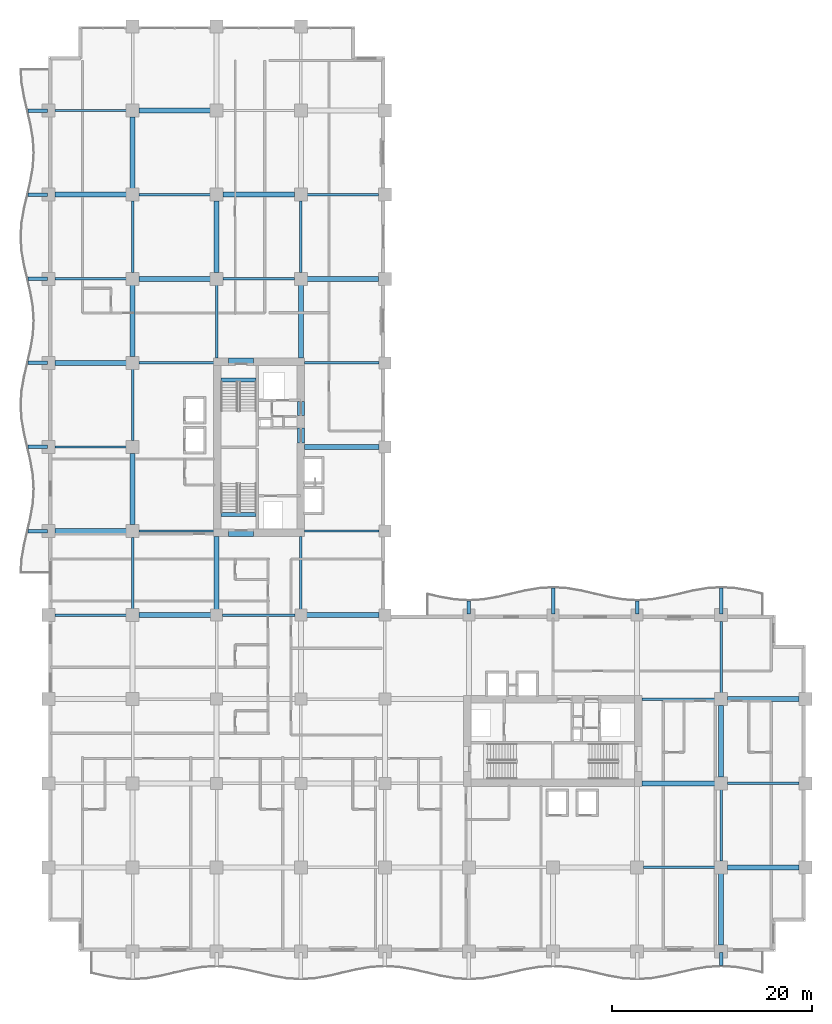
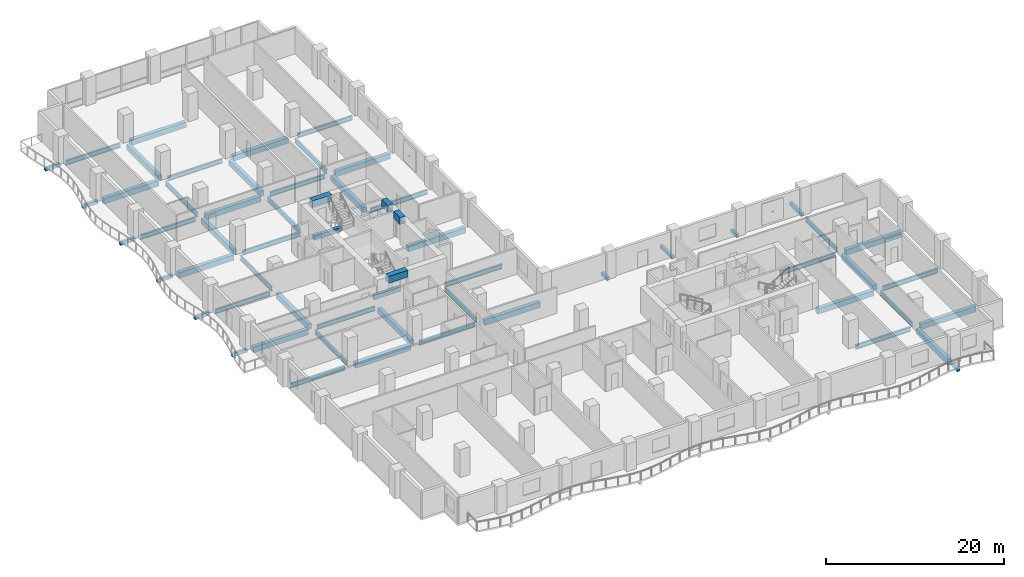
# One storey, part 2 of 21: 61 beams.
"""IFC4 building model written with IfcOpenShell, lengths in metres."""

import ifcopenshell
import ifcopenshell.guid

model = None  # the IFC model being written
_history = None  # IfcOwnerHistory: only IFC2X3 demands one
_inside = {}  # id of a spatial element -> (the spatial element, [elements in it])
_under = {}  # id of a project, library or spatial element -> (it, [spatial elements below it])
_declared = {}  # id of a project -> (the project, [libraries it declares])
_typed = {}  # id of a type object -> (the type object, [elements of that type])
_made_of = {}  # id of a material, layer set ... -> (it, [elements and type objects made of it])


def new_model(schema):
    """Start an empty IFC model of exactly this schema.

    Asked for "IFC4X3", IfcOpenShell would pick the latest addendum, in which some entities
    have other attributes; the version numbers below select the first issue.
    IFC2X3 requires an IfcOwnerHistory on every rooted entity: one is made here for all.
    """
    global model, _history
    if schema == "IFC4X3":
        model = ifcopenshell.file(schema_version=(4, 3, 0, 0))
    else:
        model = ifcopenshell.file(schema=schema)
    _inside.clear()
    _under.clear()
    _declared.clear()
    _typed.clear()
    _made_of.clear()
    _history = None
    if model.schema == "IFC2X3":
        org = make("IfcOrganization", Name="unknown")
        user = make(
            "IfcPersonAndOrganization",
            ThePerson=make("IfcPerson", FamilyName="unknown"),
            TheOrganization=org,
        )
        app = make(
            "IfcApplication",
            ApplicationDeveloper=org,
            Version="unknown",
            ApplicationFullName="unknown",
            ApplicationIdentifier="unknown",
        )
        _history = make(
            "IfcOwnerHistory",
            OwningUser=user,
            OwningApplication=app,
            ChangeAction="ADDED",
            CreationDate=0,
        )
    return model


def make(cls, **values):
    """One entity of the class cls with the attributes given. An attribute that is None is left unset."""
    return model.create_entity(
        cls, **{name: value for name, value in values.items() if value is not None}
    )


def rooted(cls, **values):
    """An entity with a GlobalId (a new one), such as an element, a storey or a relation."""
    return make(cls, GlobalId=ifcopenshell.guid.new(), OwnerHistory=_history, **values)


def si_unit(unit_type, name, prefix=None):
    """IfcSIUnit, for example si_unit("LENGTHUNIT", "METRE", prefix="MILLI")."""
    return make("IfcSIUnit", UnitType=unit_type, Prefix=prefix, Name=name)


def assignment(units):
    """IfcUnitAssignment: the units of a project."""
    return None if units is None else make("IfcUnitAssignment", Units=units)


def point(xyz):
    """IfcCartesianPoint."""
    return None if xyz is None else make("IfcCartesianPoint", Coordinates=xyz)


def direction(xyz):
    """IfcDirection."""
    return None if xyz is None else make("IfcDirection", DirectionRatios=xyz)


def frame(location, z_axis=None, x_axis=None):
    """IfcAxis2Placement3D, a coordinate frame: its origin and axes. An axis left out is left unset."""
    return make(
        "IfcAxis2Placement3D",
        Location=point(location),
        Axis=direction(z_axis),
        RefDirection=direction(x_axis),
    )


def frame_2d(location, x_axis=None):
    """IfcAxis2Placement2D, a coordinate frame in the plane: its origin and x axis."""
    return make(
        "IfcAxis2Placement2D", Location=point(location), RefDirection=direction(x_axis)
    )


def origin():
    """The frame at (0, 0, 0) with its axes left unset."""
    return frame((0.0, 0.0, 0.0))


def origin_2d():
    """The frame at (0, 0) in the plane with its x axis left unset."""
    return frame_2d((0.0, 0.0))


def place(relative_to, where):
    """IfcLocalPlacement: puts the frame where relative to a parent placement (None: the world)."""
    return make(
        "IfcLocalPlacement", PlacementRelTo=relative_to, RelativePlacement=where
    )


def context(
    kind, dimensions, precision=None, world=None, true_north=None, identifier=None
):
    """IfcGeometricRepresentationContext, for example the 3D "Model" context."""
    return make(
        "IfcGeometricRepresentationContext",
        ContextIdentifier=identifier,
        ContextType=kind,
        CoordinateSpaceDimension=dimensions,
        Precision=precision,
        WorldCoordinateSystem=world,
        TrueNorth=true_north,
    )


def subcontext(parent, identifier, kind, view, scale=None):
    """IfcGeometricRepresentationSubContext, for example "Body" below "Model"."""
    return make(
        "IfcGeometricRepresentationSubContext",
        ContextIdentifier=identifier,
        ContextType=kind,
        ParentContext=parent,
        TargetScale=scale,
        TargetView=view,
    )


def project(units=None, contexts=None):
    """IfcProject with its units and contexts."""
    return rooted(
        "IfcProject",
        Name="project",
        RepresentationContexts=contexts,
        UnitsInContext=assignment(units),
    )


def spatial(cls, under=None, at=None, **own):
    """A site, building, storey or space (cls), placed at a placement, below another one or the project."""
    s = rooted(cls, ObjectPlacement=at, **own)
    if under is not None:
        _under.setdefault(under.id(), (under, []))[1].append(s)
    return s


def profile(cls, at=None, kind="AREA", **sizes):
    """A parametric profile (cls). Its sizes go by their IFC names, for example OverallWidth=200.0."""
    return make(cls, ProfileType=kind, Position=at, **sizes)


def rectangle(**sizes):
    """IfcRectangleProfileDef."""
    return profile("IfcRectangleProfileDef", **sizes)


def i_section(**sizes):
    """IfcIShapeProfileDef."""
    return profile("IfcIShapeProfileDef", **sizes)


def extrude(swept, where, along, depth):
    """IfcExtrudedAreaSolid: the profile swept, set in the frame where, extruded along a direction by depth."""
    return make(
        "IfcExtrudedAreaSolid",
        SweptArea=swept,
        Position=where,
        ExtrudedDirection=direction(along),
        Depth=depth,
    )


def shape(context_of_items, identifier, shape_type, items):
    """IfcShapeRepresentation: the items that make up one representation, for example the "Body"."""
    return make(
        "IfcShapeRepresentation",
        ContextOfItems=context_of_items,
        RepresentationIdentifier=identifier,
        RepresentationType=shape_type,
        Items=items,
    )


def material(Name=None, Category=None):
    """IfcMaterial."""
    return make("IfcMaterial", Name=Name, Category=Category)


def material_profile(
    of_material, cross_section, Name=None, Category=None, Priority=None
):
    """IfcMaterialProfile: a cross section and its material."""
    return make(
        "IfcMaterialProfile",
        Name=Name,
        Material=of_material,
        Profile=cross_section,
        Priority=Priority,
        Category=Category,
    )


def profile_set(profiles, Name=None, composite=None):
    """IfcMaterialProfileSet."""
    return make(
        "IfcMaterialProfileSet",
        Name=Name,
        MaterialProfiles=profiles,
        CompositeProfile=composite,
    )


def made_of(thing, what):
    """Note that an element or type object is made of a material, layer set ...; save() writes the relation."""
    if what is not None:
        _made_of.setdefault(what.id(), (what, []))[1].append(thing)
    return thing


def type_object(cls, material=None, **own):
    """A type object (cls), such as IfcWallType, which elements share."""
    return made_of(rooted(cls, **own), material)


def element(
    cls,
    number,
    at=None,
    inside=None,
    cuts=None,
    type_object=None,
    material=None,
    context=None,
    identifier="Body",
    shape_type=None,
    held_by="IfcProductDefinitionShape",
    body=None,
    shapes=None,
    **own,
):
    """One element of the class cls, such as IfcWall. Its Tag is "e" and its number.

    at: its placement. inside: the storey or other place that contains it. cuts: it is an
    opening in that element (IfcRelVoidsElement). A single representation is given by context,
    identifier, shape_type and body (its items); several are given by shapes. held_by: the class
    of the entity that holds the representations. save() writes the other relations.
    """
    e = rooted(cls, Tag="e%d" % number, ObjectPlacement=at, **own)
    if body is not None:
        shapes = [shape(context, identifier, shape_type, body)]
    if shapes is not None:
        e.Representation = make(held_by, Representations=shapes)
    if inside is not None:
        _inside.setdefault(inside.id(), (inside, []))[1].append(e)
    if cuts is not None:
        rooted(
            "IfcRelVoidsElement", RelatingBuildingElement=cuts, RelatedOpeningElement=e
        )
    if type_object is not None:
        _typed.setdefault(type_object.id(), (type_object, []))[1].append(e)
    return made_of(e, material)


def aggregate(whole, parts):
    """IfcRelAggregates: a whole, such as a stair, and the parts it consists of."""
    return rooted("IfcRelAggregates", RelatingObject=whole, RelatedObjects=parts)


def save(model, path):
    """Write the relations noted so far, then the file.

    IfcRelAggregates (storeys below a building ...), IfcRelContainedInSpatialStructure (elements
    in a storey), IfcRelDefinesByType, IfcRelAssociatesMaterial and IfcRelDeclares: one each for
    every whole, place, type object, material and project.
    """
    for whole, parts in _under.values():
        aggregate(whole, parts)
    for where, things in _inside.values():
        rooted(
            "IfcRelContainedInSpatialStructure",
            RelatedElements=things,
            RelatingStructure=where,
        )
    for kind, things in _typed.values():
        rooted("IfcRelDefinesByType", RelatedObjects=things, RelatingType=kind)
    for what, things in _made_of.values():
        rooted("IfcRelAssociatesMaterial", RelatedObjects=things, RelatingMaterial=what)
    for by, libraries in _declared.values():
        rooted("IfcRelDeclares", RelatingContext=by, RelatedDefinitions=libraries)
    model.write(path)


model = new_model("IFC4")

# Units and contexts
model_context = context("Model", 3, precision=1e-05, world=origin(), true_north=direction((0.0, 1.0)))
body_context = subcontext(model_context, "Body", "Model", "MODEL_VIEW")
ifc_project = project(units=[si_unit("LENGTHUNIT", "METRE"), si_unit("AREAUNIT", "SQUARE_METRE"), si_unit("VOLUMEUNIT", "CUBIC_METRE"), si_unit("PLANEANGLEUNIT", "RADIAN"), si_unit("MASSUNIT", "GRAM", prefix="KILO")], contexts=[model_context])

# Site, building, storey
site_placement = place(None, origin())
site = spatial("IfcSite", under=ifc_project, at=site_placement, CompositionType="ELEMENT")
building_placement = place(site_placement, origin())
building = spatial("IfcBuilding", under=site, at=building_placement, Name="Koriwani Terraces Tower", CompositionType="ELEMENT")
storey_placement = place(building_placement, frame((0.0, 0.0, 111.39990234375)))
storey = spatial("IfcBuildingStorey", under=building, at=storey_placement, Name="L26", CompositionType="ELEMENT", Elevation=111.39990234375)

# Beams
ifc_material_1 = material(Name="Concrete C40/50", Category="concrete")
ifc_material_profile_1 = material_profile(ifc_material_1, rectangle(XDim=0.35009765625, YDim=0.449951171875, at=origin_2d()), Name="Concrete C40/50", Category="LoadBearing")
ifc_profile_set_1 = profile_set([ifc_material_profile_1], Name="Concrete C40/50")
beam_type_1 = type_object("IfcBeamType", Name="BEAM_RC_BALCONY_RIB_350X450", PredefinedType="JOIST", material=ifc_profile_set_1)
beam_1_placement = place(storey_placement, frame((67.199951171875, -1.39990234375, -0.474853515625), z_axis=(0.0, 1.0, 0.0), x_axis=(-1.0, 0.0, 0.0)))
element("IfcBeam", 1, at=beam_1_placement, inside=storey, type_object=beam_type_1, Name="L26 Balcony Bracket Rib S-8", PredefinedType="JOIST", context=body_context, shape_type="SweptSolid", body=[
    extrude(rectangle(XDim=0.35009765625, YDim=0.449951171875, at=origin_2d()), origin(), (0.0, 0.0, 1.0), 1.2998046875),
])
for number, where, z_axis, x_axis, name in (
    (2, (-2.050048828125, 42.0, -0.474853515625), (1.0, 0.0, 0.0), (0.0, 1.0, 0.0), "L26 Balcony Bracket Rib W-1"),
    (3, (-2.050048828125, 50.39990234375, -0.474853515625), (1.0, 0.0, 0.0), (0.0, 1.0, 0.0), "L26 Balcony Bracket Rib W-2"),
    (4, (-2.050048828125, 58.800048828125, -0.474853515625), (1.0, 0.0, 0.0), (0.0, 1.0, 0.0), "L26 Balcony Bracket Rib W-3"),
    (5, (-2.050048828125, 67.199951171875, -0.474853515625), (1.0, 0.0, 0.0), (0.0, 1.0, 0.0), "L26 Balcony Bracket Rib W-4"),
    (6, (-2.050048828125, 75.60009765625, -0.474853515625), (1.0, 0.0, 0.0), (0.0, 1.0, 0.0), "L26 Balcony Bracket Rib W-5"),
    (7, (-2.050048828125, 84.0, -0.474853515625), (1.0, 0.0, 0.0), (0.0, 1.0, 0.0), "L26 Balcony Bracket Rib W-6"),
):
    element("IfcBeam", number, at=place(storey_placement, frame(where, z_axis=z_axis, x_axis=x_axis)), inside=storey, type_object=beam_type_1, Name=name, PredefinedType="JOIST", context=body_context, shape_type="SweptSolid", body=[
        extrude(rectangle(XDim=0.35009765625, YDim=0.449951171875, at=origin_2d()), origin(), (0.0, 0.0, 1.0), 1.949951171875),
    ])
beam_2_placement = place(storey_placement, frame((42.0, 33.699951171875, -0.474853515625), z_axis=(0.0, 1.0, 0.0), x_axis=(-1.0, 0.0, 0.0)))
element("IfcBeam", 8, at=beam_2_placement, inside=storey, type_object=beam_type_1, Name="L26 Balcony Bracket Rib NE-1", PredefinedType="JOIST", context=body_context, shape_type="SweptSolid", body=[
    extrude(rectangle(XDim=0.35009765625, YDim=0.449951171875, at=origin_2d()), origin(), (0.0, 0.0, 1.0), 1.300048828125),
])
beam_3_placement = place(storey_placement, frame((50.39990234375, 33.699951171875, -0.474853515625), z_axis=(0.0, 1.0, 0.0), x_axis=(-1.0, 0.0, 0.0)))
element("IfcBeam", 9, at=beam_3_placement, inside=storey, type_object=beam_type_1, Name="L26 Balcony Bracket Rib NE-2", PredefinedType="JOIST", context=body_context, shape_type="SweptSolid", body=[
    extrude(rectangle(XDim=0.35009765625, YDim=0.449951171875, at=origin_2d()), origin(), (0.0, 0.0, 1.0), 2.60009765625),
])
beam_4_placement = place(storey_placement, frame((58.800048828125, 33.699951171875, -0.474853515625), z_axis=(0.0, 1.0, 0.0), x_axis=(-1.0, 0.0, 0.0)))
element("IfcBeam", 10, at=beam_4_placement, inside=storey, type_object=beam_type_1, Name="L26 Balcony Bracket Rib NE-3", PredefinedType="JOIST", context=body_context, shape_type="SweptSolid", body=[
    extrude(rectangle(XDim=0.35009765625, YDim=0.449951171875, at=origin_2d()), origin(), (0.0, 0.0, 1.0), 1.300048828125),
])
beam_5_placement = place(storey_placement, frame((67.199951171875, 33.699951171875, -0.474853515625), z_axis=(0.0, 1.0, 0.0), x_axis=(-1.0, 0.0, 0.0)))
element("IfcBeam", 11, at=beam_5_placement, inside=storey, type_object=beam_type_1, Name="L26 Balcony Bracket Rib NE-4", PredefinedType="JOIST", context=body_context, shape_type="SweptSolid", body=[
    extrude(rectangle(XDim=0.35009765625, YDim=0.449951171875, at=origin_2d()), origin(), (0.0, 0.0, 1.0), 2.60009765625),
])
ifc_material_2 = material(Name="Concrete C60/75", Category="concrete")
ifc_material_profile_2 = material_profile(ifc_material_2, rectangle(XDim=0.699951171875, YDim=0.949951171875, at=origin_2d()), Name="Concrete C60/75", Category="LoadBearing")
ifc_profile_set_2 = profile_set([ifc_material_profile_2], Name="Concrete C60/75")
beam_type_2 = type_object("IfcBeamType", Name="BEAM_RC_COUPLING_700X950", PredefinedType="LINTEL", material=ifc_profile_set_2)
beam_6_placement = place(storey_placement, frame((25.199951171875, 50.800048828125, 3.0751953125), z_axis=(0.0, 1.0, 0.0), x_axis=(-1.0, 0.0, 0.0)))
element("IfcBeam", 12, at=beam_6_placement, inside=storey, type_object=beam_type_2, Name="L26 Core Coupling Lintel Beam WE1", PredefinedType="LINTEL", context=body_context, shape_type="SweptSolid", body=[
    extrude(rectangle(XDim=0.699951171875, YDim=0.949951171875, at=origin_2d()), origin(), (0.0, 0.0, 1.0), 1.47998046875),
])
beam_7_placement = place(storey_placement, frame((25.199951171875, 53.550048828125, 3.0751953125), z_axis=(0.0, 1.0, 0.0), x_axis=(-1.0, 0.0, 0.0)))
element("IfcBeam", 13, at=beam_7_placement, inside=storey, type_object=beam_type_2, Name="L26 Core Coupling Lintel Beam WE2", PredefinedType="LINTEL", context=body_context, shape_type="SweptSolid", body=[
    extrude(rectangle(XDim=0.699951171875, YDim=0.949951171875, at=origin_2d()), origin(), (0.0, 0.0, 1.0), 1.39990234375),
])
for number, where, z_axis, x_axis, name in (
    (14, (18.0, 41.824951171875, 3.0751953125), (1.0, 0.0, 0.0), (0.0, 1.0, 0.0), "L26 Core Coupling Lintel Beam WS"),
    (15, (18.0, 58.925048828125, 3.0751953125), (1.0, 0.0, 0.0), (0.0, 1.0, 0.0), "L26 Core Coupling Lintel Beam WN"),
):
    element("IfcBeam", number, at=place(storey_placement, frame(where, z_axis=z_axis, x_axis=x_axis)), inside=storey, type_object=beam_type_2, Name=name, PredefinedType="LINTEL", context=body_context, shape_type="SweptSolid", body=[
        extrude(rectangle(XDim=0.699951171875, YDim=0.949951171875, at=origin_2d()), origin(), (0.0, 0.0, 1.0), 2.5),
    ])
ifc_material_profile_3 = material_profile(ifc_material_1, rectangle(XDim=0.39990234375, YDim=0.60009765625, at=origin_2d()), Name="Concrete C40/50", Category="LoadBearing")
ifc_profile_set_3 = profile_set([ifc_material_profile_3], Name="Concrete C40/50")
beam_type_3 = type_object("IfcBeamType", Name="BEAM_RC_GRID_400X600", PredefinedType="BEAM", material=ifc_profile_set_3)
for number, where, z_axis, x_axis, name in (
    (16, (17.25, 43.655029296875, -0.2998046875), (1.0, 0.0, 0.0), (0.0, 1.0, 0.0), "L26 Stairwell Header Trimmer Beam ST-W1"),
    (17, (17.25, 57.094970703125, -0.2998046875), (1.0, 0.0, 0.0), (0.0, 1.0, 0.0), "L26 Stairwell Header Trimmer Beam ST-W2"),
):
    element("IfcBeam", number, at=place(storey_placement, frame(where, z_axis=z_axis, x_axis=x_axis)), inside=storey, type_object=beam_type_3, Name=name, PredefinedType="BEAM", context=body_context, shape_type="SweptSolid", body=[
        extrude(rectangle(XDim=0.39990234375, YDim=0.60009765625, at=origin_2d()), origin(), (0.0, 0.0, 1.0), 3.5),
    ])
ifc_material_3 = material(Name="Concrete C50/60", Category="concrete")
ifc_material_profile_4 = material_profile(ifc_material_3, rectangle(XDim=0.5, YDim=0.75, at=origin_2d()), Name="Concrete C50/60", Category="LoadBearing")
ifc_profile_set_4 = profile_set([ifc_material_profile_4], Name="Concrete C50/60")
beam_type_4 = type_object("IfcBeamType", Name="BEAM_RC_GRID_500X750", PredefinedType="BEAM", material=ifc_profile_set_4)
beam_8_placement = place(storey_placement, frame((67.830078125, 8.39990234375, -0.625), z_axis=(1.0, 0.0, 0.0), x_axis=(0.0, 1.0, 0.0)))
element("IfcBeam", 18, at=beam_8_placement, inside=storey, type_object=beam_type_4, Name="L26 Grid Beam B (67.2-75.6m)", PredefinedType="BEAM", context=body_context, shape_type="SweptSolid", body=[
    extrude(rectangle(XDim=0.5, YDim=0.75, at=origin_2d()), origin(), (0.0, 0.0, 1.0), 7.139892578125),
])
beam_9_placement = place(storey_placement, frame((59.280029296875, 16.800048828125, -0.625), z_axis=(1.0, 0.0, 0.0), x_axis=(0.0, 1.0, 0.0)))
element("IfcBeam", 19, at=beam_9_placement, inside=storey, type_object=beam_type_4, Name="L26 Grid Beam C (58.8-67.2m)", PredefinedType="BEAM", context=body_context, shape_type="SweptSolid", body=[
    extrude(rectangle(XDim=0.5, YDim=0.75, at=origin_2d()), origin(), (0.0, 0.0, 1.0), 7.2900390625),
])
beam_10_placement = place(storey_placement, frame((67.830078125, 25.199951171875, -0.625), z_axis=(1.0, 0.0, 0.0), x_axis=(0.0, 1.0, 0.0)))
element("IfcBeam", 20, at=beam_10_placement, inside=storey, type_object=beam_type_4, Name="L26 Grid Beam D (67.2-75.6m)", PredefinedType="BEAM", context=body_context, shape_type="SweptSolid", body=[
    extrude(rectangle(XDim=0.5, YDim=0.75, at=origin_2d()), origin(), (0.0, 0.0, 1.0), 7.139892578125),
])
beam_11_placement = place(storey_placement, frame((9.030029296875, 33.60009765625, -0.625), z_axis=(1.0, 0.0, 0.0), x_axis=(0.0, 1.0, 0.0)))
element("IfcBeam", 21, at=beam_11_placement, inside=storey, type_object=beam_type_4, Name="L26 Grid Beam E (8.4-16.8m)", PredefinedType="BEAM", context=body_context, shape_type="SweptSolid", body=[
    extrude(rectangle(XDim=0.5, YDim=0.75, at=origin_2d()), origin(), (0.0, 0.0, 1.0), 7.18994140625),
])
beam_12_placement = place(storey_placement, frame((25.780029296875, 33.60009765625, -0.625), z_axis=(1.0, 0.0, 0.0), x_axis=(0.0, 1.0, 0.0)))
element("IfcBeam", 22, at=beam_12_placement, inside=storey, type_object=beam_type_4, Name="L26 Grid Beam E (25.2-33.6m)", PredefinedType="BEAM", context=body_context, shape_type="SweptSolid", body=[
    extrude(rectangle(XDim=0.5, YDim=0.75, at=origin_2d()), origin(), (0.0, 0.0, 1.0), 7.239990234375),
])
beam_13_placement = place(storey_placement, frame((0.6298828125, 42.0, -0.625), z_axis=(1.0, 0.0, 0.0), x_axis=(0.0, 1.0, 0.0)))
element("IfcBeam", 23, at=beam_13_placement, inside=storey, type_object=beam_type_4, Name="L26 Grid Beam F (0.0-8.4m)", PredefinedType="BEAM", context=body_context, shape_type="SweptSolid", body=[
    extrude(rectangle(XDim=0.5, YDim=0.75, at=origin_2d()), origin(), (0.0, 0.0, 1.0), 7.14013671875),
])
beam_14_placement = place(storey_placement, frame((25.554931640625, 50.39990234375, -0.625), z_axis=(1.0, 0.0, 0.0), x_axis=(0.0, 1.0, 0.0)))
element("IfcBeam", 24, at=beam_14_placement, inside=storey, type_object=beam_type_4, Name="L26 Grid Beam G (25.2-33.6m)", PredefinedType="BEAM", context=body_context, shape_type="SweptSolid", body=[
    extrude(rectangle(XDim=0.5, YDim=0.75, at=origin_2d()), origin(), (0.0, 0.0, 1.0), 7.465087890625),
])
beam_15_placement = place(storey_placement, frame((0.6298828125, 58.800048828125, -0.625), z_axis=(1.0, 0.0, 0.0), x_axis=(0.0, 1.0, 0.0)))
element("IfcBeam", 25, at=beam_15_placement, inside=storey, type_object=beam_type_4, Name="L26 Grid Beam H (0.0-8.4m)", PredefinedType="BEAM", context=body_context, shape_type="SweptSolid", body=[
    extrude(rectangle(XDim=0.5, YDim=0.75, at=origin_2d()), origin(), (0.0, 0.0, 1.0), 7.14013671875),
])
for number, where, z_axis, x_axis, name in (
    (26, (9.030029296875, 67.199951171875, -0.625), (1.0, 0.0, 0.0), (0.0, 1.0, 0.0), "L26 Grid Beam I (8.4-16.8m)"),
    (27, (25.830078125, 67.199951171875, -0.625), (1.0, 0.0, 0.0), (0.0, 1.0, 0.0), "L26 Grid Beam I (25.2-33.6m)"),
):
    element("IfcBeam", number, at=place(storey_placement, frame(where, z_axis=z_axis, x_axis=x_axis)), inside=storey, type_object=beam_type_4, Name=name, PredefinedType="BEAM", context=body_context, shape_type="SweptSolid", body=[
        extrude(rectangle(XDim=0.5, YDim=0.75, at=origin_2d()), origin(), (0.0, 0.0, 1.0), 7.139892578125),
    ])
for number, where, z_axis, x_axis, name in (
    (28, (0.6298828125, 75.60009765625, -0.625), (1.0, 0.0, 0.0), (0.0, 1.0, 0.0), "L26 Grid Beam J (0.0-8.4m)"),
    (29, (17.429931640625, 75.60009765625, -0.625), (1.0, 0.0, 0.0), (0.0, 1.0, 0.0), "L26 Grid Beam J (16.8-25.2m)"),
):
    element("IfcBeam", number, at=place(storey_placement, frame(where, z_axis=z_axis, x_axis=x_axis)), inside=storey, type_object=beam_type_4, Name=name, PredefinedType="BEAM", context=body_context, shape_type="SweptSolid", body=[
        extrude(rectangle(XDim=0.5, YDim=0.75, at=origin_2d()), origin(), (0.0, 0.0, 1.0), 7.14013671875),
    ])
beam_16_placement = place(storey_placement, frame((9.030029296875, 84.0, -0.625), z_axis=(1.0, 0.0, 0.0), x_axis=(0.0, 1.0, 0.0)))
element("IfcBeam", 30, at=beam_16_placement, inside=storey, type_object=beam_type_4, Name="L26 Grid Beam K (8.4-16.8m)", PredefinedType="BEAM", context=body_context, shape_type="SweptSolid", body=[
    extrude(rectangle(XDim=0.5, YDim=0.75, at=origin_2d()), origin(), (0.0, 0.0, 1.0), 7.139892578125),
])
for number, where, z_axis, x_axis, name in (
    (31, (8.39990234375, 42.6298828125, -0.625), (0.0, 1.0, 0.0), (-1.0, 0.0, 0.0), "L26 Grid Beam 2 (42.0-50.4m)"),
    (32, (8.39990234375, 59.429931640625, -0.625), (0.0, 1.0, 0.0), (-1.0, 0.0, 0.0), "L26 Grid Beam 2 (58.8-67.2m)"),
    (33, (8.39990234375, 76.22998046875, -0.625), (0.0, 1.0, 0.0), (-1.0, 0.0, 0.0), "L26 Grid Beam 2 (75.6-84.0m)"),
):
    element("IfcBeam", number, at=place(storey_placement, frame(where, z_axis=z_axis, x_axis=x_axis)), inside=storey, type_object=beam_type_4, Name=name, PredefinedType="BEAM", context=body_context, shape_type="SweptSolid", body=[
        extrude(rectangle(XDim=0.5, YDim=0.75, at=origin_2d()), origin(), (0.0, 0.0, 1.0), 7.14013671875),
    ])
beam_17_placement = place(storey_placement, frame((16.800048828125, 34.179931640625, -0.625), z_axis=(0.0, 1.0, 0.0), x_axis=(-1.0, 0.0, 0.0)))
element("IfcBeam", 34, at=beam_17_placement, inside=storey, type_object=beam_type_4, Name="L26 Grid Beam 3 (33.6-42.0m)", PredefinedType="BEAM", context=body_context, shape_type="SweptSolid", body=[
    extrude(rectangle(XDim=0.5, YDim=0.75, at=origin_2d()), origin(), (0.0, 0.0, 1.0), 7.2900390625),
])
beam_18_placement = place(storey_placement, frame((16.800048828125, 67.830078125, -0.625), z_axis=(0.0, 1.0, 0.0), x_axis=(-1.0, 0.0, 0.0)))
element("IfcBeam", 35, at=beam_18_placement, inside=storey, type_object=beam_type_4, Name="L26 Grid Beam 3 (67.2-75.6m)", PredefinedType="BEAM", context=body_context, shape_type="SweptSolid", body=[
    extrude(rectangle(XDim=0.5, YDim=0.75, at=origin_2d()), origin(), (0.0, 0.0, 1.0), 7.139892578125),
])
beam_19_placement = place(storey_placement, frame((25.199951171875, 59.280029296875, -0.625), z_axis=(0.0, 1.0, 0.0), x_axis=(-1.0, 0.0, 0.0)))
element("IfcBeam", 36, at=beam_19_placement, inside=storey, type_object=beam_type_4, Name="L26 Grid Beam 4 (58.8-67.2m)", PredefinedType="BEAM", context=body_context, shape_type="SweptSolid", body=[
    extrude(rectangle(XDim=0.5, YDim=0.75, at=origin_2d()), origin(), (0.0, 0.0, 1.0), 7.2900390625),
])
for number, where, z_axis, x_axis, name in (
    (37, (67.199951171875, 0.6298828125, -0.625), (0.0, 1.0, 0.0), (-1.0, 0.0, 0.0), "L26 Grid Beam 9 (0.0-8.4m)"),
    (38, (67.199951171875, 17.429931640625, -0.625), (0.0, 1.0, 0.0), (-1.0, 0.0, 0.0), "L26 Grid Beam 9 (16.8-25.2m)"),
):
    element("IfcBeam", number, at=place(storey_placement, frame(where, z_axis=z_axis, x_axis=x_axis)), inside=storey, type_object=beam_type_4, Name=name, PredefinedType="BEAM", context=body_context, shape_type="SweptSolid", body=[
        extrude(rectangle(XDim=0.5, YDim=0.75, at=origin_2d()), origin(), (0.0, 0.0, 1.0), 7.14013671875),
    ])
ifc_material_4 = material(Name="Steel ASTM A572 Grade 50", Category="steel")
ifc_material_profile_5 = material_profile(ifc_material_4, i_section(OverallWidth=0.23095703125, OverallDepth=0.616943359375, WebThickness=0.015380859375, FlangeThickness=0.0244140625, at=origin_2d()), Name="Steel ASTM A572 Grade 50", Category="LoadBearing")
ifc_profile_set_5 = profile_set([ifc_material_profile_5], Name="Steel ASTM A572 Grade 50")
beam_type_5 = type_object("IfcBeamType", Name="STEEL_BEAM_W610X195", PredefinedType="BEAM", material=ifc_profile_set_5)
beam_20_placement = place(storey_placement, frame((59.429931640625, 8.39990234375, -0.558349609375), z_axis=(1.0, 0.0, 0.0), x_axis=(0.0, 1.0, 0.0)))
element("IfcBeam", 39, at=beam_20_placement, inside=storey, type_object=beam_type_5, Name="L26 Grid Beam B (58.8-67.2m)", PredefinedType="BEAM", context=body_context, shape_type="SweptSolid", body=[
    extrude(i_section(OverallWidth=0.23095703125, OverallDepth=0.616943359375, WebThickness=0.015380859375, FlangeThickness=0.0244140625, at=origin_2d()), origin(), (0.0, 0.0, 1.0), 7.14013671875),
])
beam_21_placement = place(storey_placement, frame((67.830078125, 16.800048828125, -0.558349609375), z_axis=(1.0, 0.0, 0.0), x_axis=(0.0, 1.0, 0.0)))
element("IfcBeam", 40, at=beam_21_placement, inside=storey, type_object=beam_type_5, Name="L26 Grid Beam C (67.2-75.6m)", PredefinedType="BEAM", context=body_context, shape_type="SweptSolid", body=[
    extrude(i_section(OverallWidth=0.23095703125, OverallDepth=0.616943359375, WebThickness=0.015380859375, FlangeThickness=0.0244140625, at=origin_2d()), origin(), (0.0, 0.0, 1.0), 7.139892578125),
])
beam_22_placement = place(storey_placement, frame((59.280029296875, 25.199951171875, -0.558349609375), z_axis=(1.0, 0.0, 0.0), x_axis=(0.0, 1.0, 0.0)))
element("IfcBeam", 41, at=beam_22_placement, inside=storey, type_object=beam_type_5, Name="L26 Grid Beam D (58.8-67.2m)", PredefinedType="BEAM", context=body_context, shape_type="SweptSolid", body=[
    extrude(i_section(OverallWidth=0.23095703125, OverallDepth=0.616943359375, WebThickness=0.015380859375, FlangeThickness=0.0244140625, at=origin_2d()), origin(), (0.0, 0.0, 1.0), 7.2900390625),
])
beam_23_placement = place(storey_placement, frame((0.6298828125, 33.60009765625, -0.558349609375), z_axis=(1.0, 0.0, 0.0), x_axis=(0.0, 1.0, 0.0)))
element("IfcBeam", 42, at=beam_23_placement, inside=storey, type_object=beam_type_5, Name="L26 Grid Beam E (0.0-8.4m)", PredefinedType="BEAM", context=body_context, shape_type="SweptSolid", body=[
    extrude(i_section(OverallWidth=0.23095703125, OverallDepth=0.616943359375, WebThickness=0.015380859375, FlangeThickness=0.0244140625, at=origin_2d()), origin(), (0.0, 0.0, 1.0), 7.14013671875),
])
beam_24_placement = place(storey_placement, frame((17.3798828125, 33.60009765625, -0.558349609375), z_axis=(1.0, 0.0, 0.0), x_axis=(0.0, 1.0, 0.0)))
element("IfcBeam", 43, at=beam_24_placement, inside=storey, type_object=beam_type_5, Name="L26 Grid Beam E (16.8-25.2m)", PredefinedType="BEAM", context=body_context, shape_type="SweptSolid", body=[
    extrude(i_section(OverallWidth=0.23095703125, OverallDepth=0.616943359375, WebThickness=0.015380859375, FlangeThickness=0.0244140625, at=origin_2d()), origin(), (0.0, 0.0, 1.0), 7.240234375),
])
beam_25_placement = place(storey_placement, frame((9.030029296875, 42.0, -0.558349609375), z_axis=(1.0, 0.0, 0.0), x_axis=(0.0, 1.0, 0.0)))
element("IfcBeam", 44, at=beam_25_placement, inside=storey, type_object=beam_type_5, Name="L26 Grid Beam F (8.4-16.8m)", PredefinedType="BEAM", context=body_context, shape_type="SweptSolid", body=[
    extrude(i_section(OverallWidth=0.23095703125, OverallDepth=0.616943359375, WebThickness=0.015380859375, FlangeThickness=0.0244140625, at=origin_2d()), origin(), (0.0, 0.0, 1.0), 7.489990234375),
])
beam_26_placement = place(storey_placement, frame((25.554931640625, 42.0, -0.558349609375), z_axis=(1.0, 0.0, 0.0), x_axis=(0.0, 1.0, 0.0)))
element("IfcBeam", 45, at=beam_26_placement, inside=storey, type_object=beam_type_5, Name="L26 Grid Beam F (25.2-33.6m)", PredefinedType="BEAM", context=body_context, shape_type="SweptSolid", body=[
    extrude(i_section(OverallWidth=0.23095703125, OverallDepth=0.616943359375, WebThickness=0.015380859375, FlangeThickness=0.0244140625, at=origin_2d()), origin(), (0.0, 0.0, 1.0), 7.465087890625),
])
beam_27_placement = place(storey_placement, frame((0.6298828125, 50.39990234375, -0.558349609375), z_axis=(1.0, 0.0, 0.0), x_axis=(0.0, 1.0, 0.0)))
element("IfcBeam", 46, at=beam_27_placement, inside=storey, type_object=beam_type_5, Name="L26 Grid Beam G (0.0-8.4m)", PredefinedType="BEAM", context=body_context, shape_type="SweptSolid", body=[
    extrude(i_section(OverallWidth=0.23095703125, OverallDepth=0.616943359375, WebThickness=0.015380859375, FlangeThickness=0.0244140625, at=origin_2d()), origin(), (0.0, 0.0, 1.0), 7.14013671875),
])
beam_28_placement = place(storey_placement, frame((9.030029296875, 58.800048828125, -0.558349609375), z_axis=(1.0, 0.0, 0.0), x_axis=(0.0, 1.0, 0.0)))
element("IfcBeam", 47, at=beam_28_placement, inside=storey, type_object=beam_type_5, Name="L26 Grid Beam H (8.4-16.8m)", PredefinedType="BEAM", context=body_context, shape_type="SweptSolid", body=[
    extrude(i_section(OverallWidth=0.23095703125, OverallDepth=0.616943359375, WebThickness=0.015380859375, FlangeThickness=0.0244140625, at=origin_2d()), origin(), (0.0, 0.0, 1.0), 7.489990234375),
])
beam_29_placement = place(storey_placement, frame((25.554931640625, 58.800048828125, -0.558349609375), z_axis=(1.0, 0.0, 0.0), x_axis=(0.0, 1.0, 0.0)))
element("IfcBeam", 48, at=beam_29_placement, inside=storey, type_object=beam_type_5, Name="L26 Grid Beam H (25.2-33.6m)", PredefinedType="BEAM", context=body_context, shape_type="SweptSolid", body=[
    extrude(i_section(OverallWidth=0.23095703125, OverallDepth=0.616943359375, WebThickness=0.015380859375, FlangeThickness=0.0244140625, at=origin_2d()), origin(), (0.0, 0.0, 1.0), 7.465087890625),
])
for number, where, z_axis, x_axis, name in (
    (49, (0.6298828125, 67.199951171875, -0.558349609375), (1.0, 0.0, 0.0), (0.0, 1.0, 0.0), "L26 Grid Beam I (0.0-8.4m)"),
    (50, (17.429931640625, 67.199951171875, -0.558349609375), (1.0, 0.0, 0.0), (0.0, 1.0, 0.0), "L26 Grid Beam I (16.8-25.2m)"),
):
    element("IfcBeam", number, at=place(storey_placement, frame(where, z_axis=z_axis, x_axis=x_axis)), inside=storey, type_object=beam_type_5, Name=name, PredefinedType="BEAM", context=body_context, shape_type="SweptSolid", body=[
        extrude(i_section(OverallWidth=0.23095703125, OverallDepth=0.616943359375, WebThickness=0.015380859375, FlangeThickness=0.0244140625, at=origin_2d()), origin(), (0.0, 0.0, 1.0), 7.14013671875),
    ])
for number, where, z_axis, x_axis, name in (
    (51, (9.030029296875, 75.60009765625, -0.558349609375), (1.0, 0.0, 0.0), (0.0, 1.0, 0.0), "L26 Grid Beam J (8.4-16.8m)"),
    (52, (25.830078125, 75.60009765625, -0.558349609375), (1.0, 0.0, 0.0), (0.0, 1.0, 0.0), "L26 Grid Beam J (25.2-33.6m)"),
):
    element("IfcBeam", number, at=place(storey_placement, frame(where, z_axis=z_axis, x_axis=x_axis)), inside=storey, type_object=beam_type_5, Name=name, PredefinedType="BEAM", context=body_context, shape_type="SweptSolid", body=[
        extrude(i_section(OverallWidth=0.23095703125, OverallDepth=0.616943359375, WebThickness=0.015380859375, FlangeThickness=0.0244140625, at=origin_2d()), origin(), (0.0, 0.0, 1.0), 7.139892578125),
    ])
for number, where, z_axis, x_axis, name in (
    (53, (0.6298828125, 84.0, -0.558349609375), (1.0, 0.0, 0.0), (0.0, 1.0, 0.0), "L26 Grid Beam K (0.0-8.4m)"),
    (54, (8.39990234375, 34.22998046875, -0.558349609375), (0.0, 1.0, 0.0), (-1.0, 0.0, 0.0), "L26 Grid Beam 2 (33.6-42.0m)"),
):
    element("IfcBeam", number, at=place(storey_placement, frame(where, z_axis=z_axis, x_axis=x_axis)), inside=storey, type_object=beam_type_5, Name=name, PredefinedType="BEAM", context=body_context, shape_type="SweptSolid", body=[
        extrude(i_section(OverallWidth=0.23095703125, OverallDepth=0.616943359375, WebThickness=0.015380859375, FlangeThickness=0.0244140625, at=origin_2d()), origin(), (0.0, 0.0, 1.0), 7.14013671875),
    ])
for number, where, z_axis, x_axis, name in (
    (55, (8.39990234375, 51.030029296875, -0.558349609375), (0.0, 1.0, 0.0), (-1.0, 0.0, 0.0), "L26 Grid Beam 2 (50.4-58.8m)"),
    (56, (8.39990234375, 67.830078125, -0.558349609375), (0.0, 1.0, 0.0), (-1.0, 0.0, 0.0), "L26 Grid Beam 2 (67.2-75.6m)"),
):
    element("IfcBeam", number, at=place(storey_placement, frame(where, z_axis=z_axis, x_axis=x_axis)), inside=storey, type_object=beam_type_5, Name=name, PredefinedType="BEAM", context=body_context, shape_type="SweptSolid", body=[
        extrude(i_section(OverallWidth=0.23095703125, OverallDepth=0.616943359375, WebThickness=0.015380859375, FlangeThickness=0.0244140625, at=origin_2d()), origin(), (0.0, 0.0, 1.0), 7.139892578125),
    ])
for number, where, z_axis, x_axis, name in (
    (57, (16.800048828125, 59.280029296875, -0.558349609375), (0.0, 1.0, 0.0), (-1.0, 0.0, 0.0), "L26 Grid Beam 3 (58.8-67.2m)"),
    (58, (25.199951171875, 34.179931640625, -0.558349609375), (0.0, 1.0, 0.0), (-1.0, 0.0, 0.0), "L26 Grid Beam 4 (33.6-42.0m)"),
):
    element("IfcBeam", number, at=place(storey_placement, frame(where, z_axis=z_axis, x_axis=x_axis)), inside=storey, type_object=beam_type_5, Name=name, PredefinedType="BEAM", context=body_context, shape_type="SweptSolid", body=[
        extrude(i_section(OverallWidth=0.23095703125, OverallDepth=0.616943359375, WebThickness=0.015380859375, FlangeThickness=0.0244140625, at=origin_2d()), origin(), (0.0, 0.0, 1.0), 7.2900390625),
    ])
for number, where, z_axis, x_axis, name in (
    (59, (25.199951171875, 67.830078125, -0.558349609375), (0.0, 1.0, 0.0), (-1.0, 0.0, 0.0), "L26 Grid Beam 4 (67.2-75.6m)"),
    (60, (67.199951171875, 9.030029296875, -0.558349609375), (0.0, 1.0, 0.0), (-1.0, 0.0, 0.0), "L26 Grid Beam 9 (8.4-16.8m)"),
    (61, (67.199951171875, 25.830078125, -0.558349609375), (0.0, 1.0, 0.0), (-1.0, 0.0, 0.0), "L26 Grid Beam 9 (25.2-33.6m)"),
):
    element("IfcBeam", number, at=place(storey_placement, frame(where, z_axis=z_axis, x_axis=x_axis)), inside=storey, type_object=beam_type_5, Name=name, PredefinedType="BEAM", context=body_context, shape_type="SweptSolid", body=[
        extrude(i_section(OverallWidth=0.23095703125, OverallDepth=0.616943359375, WebThickness=0.015380859375, FlangeThickness=0.0244140625, at=origin_2d()), origin(), (0.0, 0.0, 1.0), 7.139892578125),
    ])

save(model, "model.ifc")
